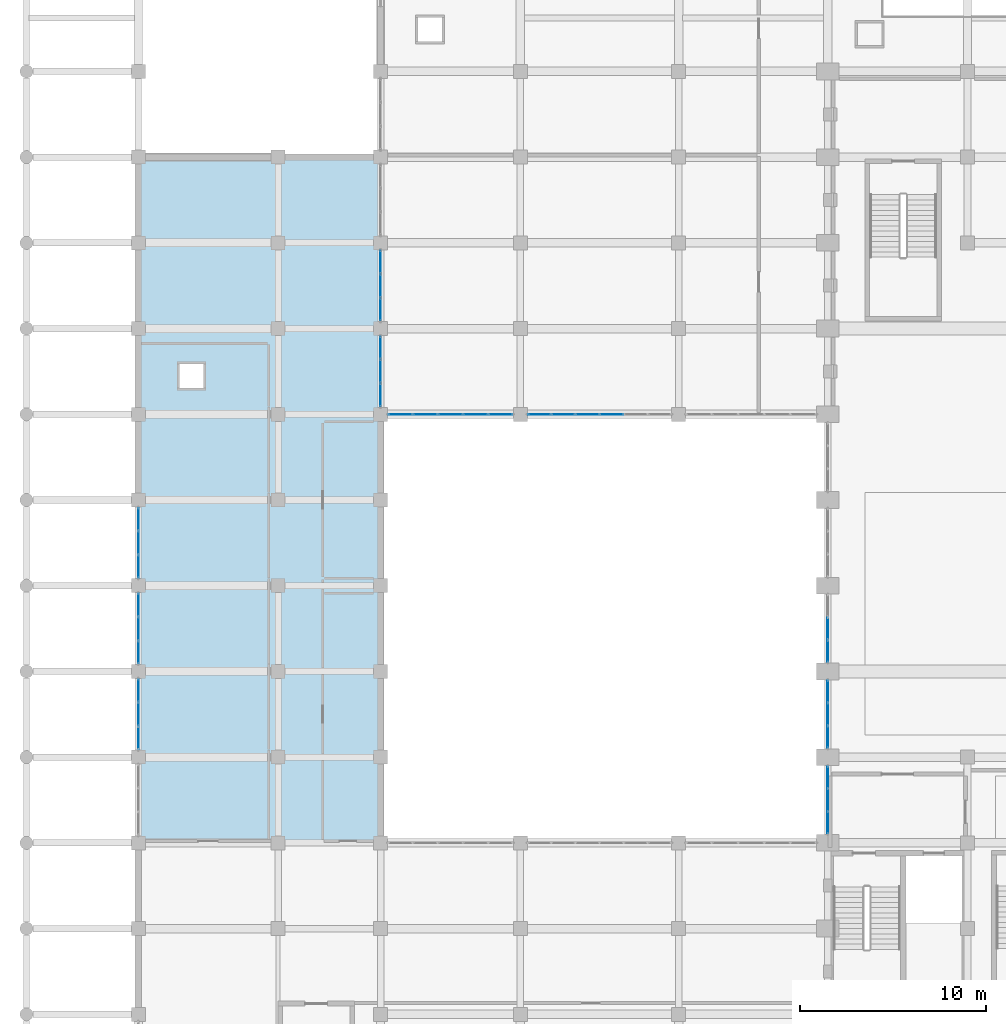
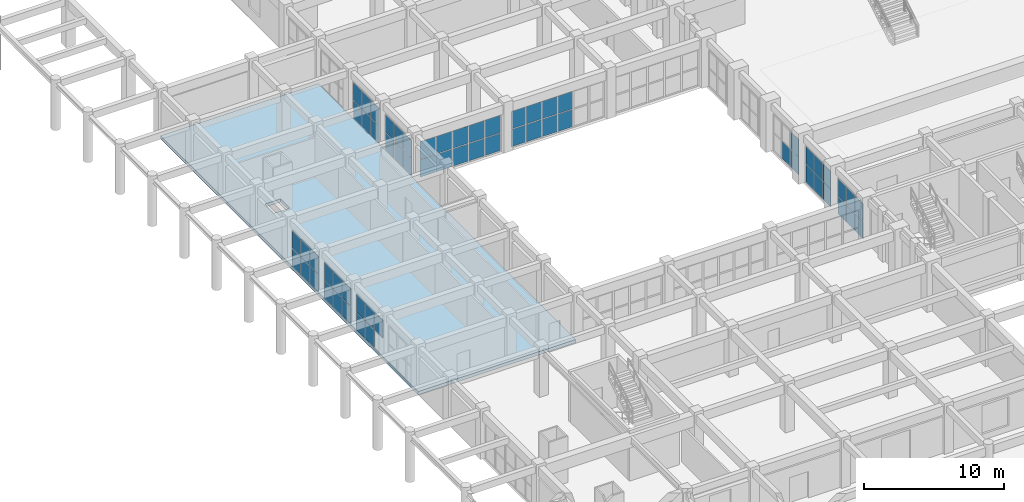
# One storey, part 86 of 116: 62 plates, 1 slab, 10 elements without a shape of their own.
"""IFC4 building model written with IfcOpenShell, lengths in metres."""

from ifc_helpers import new_model, si_unit, direction, frame, origin, origin_2d, place, context, subcontext, project, spatial, polyline, rectangle, outline, extrude, material, layer, layer_set, type_object, element, aggregate, save


model = new_model("IFC4")

# Units and contexts
model_context = context("Model", 3, precision=1e-05, world=origin(), true_north=direction((0.0, 1.0)))
body_context = subcontext(model_context, "Body", "Model", "MODEL_VIEW")
ifc_project = project(units=[si_unit("LENGTHUNIT", "METRE"), si_unit("AREAUNIT", "SQUARE_METRE"), si_unit("VOLUMEUNIT", "CUBIC_METRE"), si_unit("PLANEANGLEUNIT", "RADIAN"), si_unit("MASSUNIT", "GRAM", prefix="KILO")], contexts=[model_context])

# Site, building, storey
site_placement = place(None, origin())
site = spatial("IfcSite", under=ifc_project, at=site_placement, CompositionType="ELEMENT")
building_placement = place(site_placement, origin())
building = spatial("IfcBuilding", under=site, at=building_placement, Name="Muzn Square Opera House", CompositionType="ELEMENT")
storey_placement = place(building_placement, frame((0.0, 0.0, 5.39990234375)))
storey = spatial("IfcBuildingStorey", under=building, at=storey_placement, Name="L01", CompositionType="ELEMENT", Elevation=5.39990234375)

# Curtain wall, plates
ifc_material_1 = material(Name="Low-E laminated acoustic double glazing", Category="glass")
ifc_layer_1 = layer(ifc_material_1, 0.159912109375, Name="Low-E laminated acoustic double glazing", Category="glass")
ifc_layer_set_1 = layer_set([ifc_layer_1], Name="Low-E laminated acoustic double glazing")
curtain_wall_type_1 = type_object("IfcCurtainWallType", Name="Glazed Curtain Wall WestVaultCourt 3700x3200", PredefinedType="USERDEFINED", material=ifc_layer_set_1)
curtain_wall_1_placement = place(storey_placement, origin())
curtain_wall_1 = element("IfcCurtainWall", 1, at=curtain_wall_1_placement, inside=storey, type_object=curtain_wall_type_1, Name="Glazed Curtain Wall CW-L01-039", ObjectType="GLAZED CURTAIN WALL", PredefinedType="USERDEFINED")
ifc_layer_2 = layer(ifc_material_1, 0.028076171875, Name="Low-E laminated acoustic double glazing", Category="glass")
ifc_layer_set_2 = layer_set([ifc_layer_2], Name="Low-E laminated acoustic double glazing")
plate_type = type_object("IfcPlateType", Name="Curtain Wall Acoustic Glazed Panel 28mm", PredefinedType="CURTAIN_PANEL", material=ifc_layer_set_2)
plate_1_placement = place(storey_placement, frame((43.0, 32.28173828125, 0.06005859375), z_axis=(0.0, 0.0, 1.0), x_axis=(0.0, 1.0, 0.0)))
plate_1 = element("IfcPlate", 2, at=plate_1_placement, type_object=plate_type, Name="CW-WVC-37x32 panel 1.1", PredefinedType="CURTAIN_PANEL", context=body_context, shape_type="SweptSolid", body=[
    extrude(rectangle(XDim=1.143310546875, YDim=0.028076171875, at=origin_2d()), origin(), (0.0, 0.0, 1.0), 1.510009765625),
])
plate_2_placement = place(storey_placement, frame((43.0, 32.28173828125, 1.6298828125), z_axis=(0.0, 0.0, 1.0), x_axis=(0.0, 1.0, 0.0)))
plate_2 = element("IfcPlate", 3, at=plate_2_placement, type_object=plate_type, Name="CW-WVC-37x32 panel 1.2", PredefinedType="CURTAIN_PANEL", context=body_context, shape_type="SweptSolid", body=[
    extrude(rectangle(XDim=1.143310546875, YDim=0.028076171875, at=origin_2d()), origin(), (0.0, 0.0, 1.0), 1.510009765625),
])
plate_3_placement = place(storey_placement, frame((43.0, 33.5, 0.06005859375), z_axis=(0.0, 0.0, 1.0), x_axis=(0.0, 1.0, 0.0)))
plate_3 = element("IfcPlate", 4, at=plate_3_placement, type_object=plate_type, Name="CW-WVC-37x32 panel 2.1", PredefinedType="CURTAIN_PANEL", context=body_context, shape_type="SweptSolid", body=[
    extrude(rectangle(XDim=1.17333984375, YDim=0.028076171875, at=origin_2d()), origin(), (0.0, 0.0, 1.0), 1.510009765625),
])
plate_4_placement = place(storey_placement, frame((43.0, 33.5, 1.6298828125), z_axis=(0.0, 0.0, 1.0), x_axis=(0.0, 1.0, 0.0)))
plate_4 = element("IfcPlate", 5, at=plate_4_placement, type_object=plate_type, Name="CW-WVC-37x32 panel 2.2", PredefinedType="CURTAIN_PANEL", context=body_context, shape_type="SweptSolid", body=[
    extrude(rectangle(XDim=1.17333984375, YDim=0.028076171875, at=origin_2d()), origin(), (0.0, 0.0, 1.0), 1.510009765625),
])
plate_5_placement = place(storey_placement, frame((43.0, 34.71826171875, 0.06005859375), z_axis=(0.0, 0.0, 1.0), x_axis=(0.0, 1.0, 0.0)))
plate_5 = element("IfcPlate", 6, at=plate_5_placement, type_object=plate_type, Name="CW-WVC-37x32 panel 3.1", PredefinedType="CURTAIN_PANEL", context=body_context, shape_type="SweptSolid", body=[
    extrude(rectangle(XDim=1.143310546875, YDim=0.028076171875, at=origin_2d()), origin(), (0.0, 0.0, 1.0), 1.510009765625),
])
plate_6_placement = place(storey_placement, frame((43.0, 34.71826171875, 1.6298828125), z_axis=(0.0, 0.0, 1.0), x_axis=(0.0, 1.0, 0.0)))
plate_6 = element("IfcPlate", 7, at=plate_6_placement, type_object=plate_type, Name="CW-WVC-37x32 panel 3.2", PredefinedType="CURTAIN_PANEL", context=body_context, shape_type="SweptSolid", body=[
    extrude(rectangle(XDim=1.143310546875, YDim=0.028076171875, at=origin_2d()), origin(), (0.0, 0.0, 1.0), 1.510009765625),
])
aggregate(curtain_wall_1, [plate_1, plate_2, plate_3, plate_4, plate_5, plate_6])

curtain_wall_2_placement = place(storey_placement, origin())
curtain_wall_2 = element("IfcCurtainWall", 8, at=curtain_wall_2_placement, inside=storey, type_object=curtain_wall_type_1, Name="Glazed Curtain Wall CW-L01-041", ObjectType="GLAZED CURTAIN WALL", PredefinedType="USERDEFINED")
plate_7_placement = place(storey_placement, frame((43.0, 36.881591796875, 0.06005859375), z_axis=(0.0, 0.0, 1.0), x_axis=(0.0, 1.0, 0.0)))
plate_7 = element("IfcPlate", 9, at=plate_7_placement, type_object=plate_type, Name="CW-WVC-37x32 panel 1.1", PredefinedType="CURTAIN_PANEL", context=body_context, shape_type="SweptSolid", body=[
    extrude(rectangle(XDim=1.143310546875, YDim=0.028076171875, at=origin_2d()), origin(), (0.0, 0.0, 1.0), 1.510009765625),
])
plate_8_placement = place(storey_placement, frame((43.0, 36.881591796875, 1.6298828125), z_axis=(0.0, 0.0, 1.0), x_axis=(0.0, 1.0, 0.0)))
plate_8 = element("IfcPlate", 10, at=plate_8_placement, type_object=plate_type, Name="CW-WVC-37x32 panel 1.2", PredefinedType="CURTAIN_PANEL", context=body_context, shape_type="SweptSolid", body=[
    extrude(rectangle(XDim=1.143310546875, YDim=0.028076171875, at=origin_2d()), origin(), (0.0, 0.0, 1.0), 1.510009765625),
])
plate_9_placement = place(storey_placement, frame((43.0, 38.10009765625, 0.06005859375), z_axis=(0.0, 0.0, 1.0), x_axis=(0.0, 1.0, 0.0)))
plate_9 = element("IfcPlate", 11, at=plate_9_placement, type_object=plate_type, Name="CW-WVC-37x32 panel 2.1", PredefinedType="CURTAIN_PANEL", context=body_context, shape_type="SweptSolid", body=[
    extrude(rectangle(XDim=1.17333984375, YDim=0.028076171875, at=origin_2d()), origin(), (0.0, 0.0, 1.0), 1.510009765625),
])
plate_10_placement = place(storey_placement, frame((43.0, 38.10009765625, 1.6298828125), z_axis=(0.0, 0.0, 1.0), x_axis=(0.0, 1.0, 0.0)))
plate_10 = element("IfcPlate", 12, at=plate_10_placement, type_object=plate_type, Name="CW-WVC-37x32 panel 2.2", PredefinedType="CURTAIN_PANEL", context=body_context, shape_type="SweptSolid", body=[
    extrude(rectangle(XDim=1.17333984375, YDim=0.028076171875, at=origin_2d()), origin(), (0.0, 0.0, 1.0), 1.510009765625),
])
plate_11_placement = place(storey_placement, frame((43.0, 39.318359375, 0.06005859375), z_axis=(0.0, 0.0, 1.0), x_axis=(0.0, 1.0, 0.0)))
plate_11 = element("IfcPlate", 13, at=plate_11_placement, type_object=plate_type, Name="CW-WVC-37x32 panel 3.1", PredefinedType="CURTAIN_PANEL", context=body_context, shape_type="SweptSolid", body=[
    extrude(rectangle(XDim=1.143310546875, YDim=0.028076171875, at=origin_2d()), origin(), (0.0, 0.0, 1.0), 1.510009765625),
])
plate_12_placement = place(storey_placement, frame((43.0, 39.318359375, 1.6298828125), z_axis=(0.0, 0.0, 1.0), x_axis=(0.0, 1.0, 0.0)))
plate_12 = element("IfcPlate", 14, at=plate_12_placement, type_object=plate_type, Name="CW-WVC-37x32 panel 3.2", PredefinedType="CURTAIN_PANEL", context=body_context, shape_type="SweptSolid", body=[
    extrude(rectangle(XDim=1.143310546875, YDim=0.028076171875, at=origin_2d()), origin(), (0.0, 0.0, 1.0), 1.510009765625),
])
aggregate(curtain_wall_2, [plate_7, plate_8, plate_9, plate_10, plate_11, plate_12])

curtain_wall_3_placement = place(storey_placement, origin())
curtain_wall_3 = element("IfcCurtainWall", 15, at=curtain_wall_3_placement, inside=storey, type_object=curtain_wall_type_1, Name="Glazed Curtain Wall CW-L01-043", ObjectType="GLAZED CURTAIN WALL", PredefinedType="USERDEFINED")
plate_13_placement = place(storey_placement, frame((43.0, 41.481689453125, 0.06005859375), z_axis=(0.0, 0.0, 1.0), x_axis=(0.0, 1.0, 0.0)))
plate_13 = element("IfcPlate", 16, at=plate_13_placement, type_object=plate_type, Name="CW-WVC-37x32 panel 1.1", PredefinedType="CURTAIN_PANEL", context=body_context, shape_type="SweptSolid", body=[
    extrude(rectangle(XDim=1.143310546875, YDim=0.028076171875, at=origin_2d()), origin(), (0.0, 0.0, 1.0), 1.510009765625),
])
plate_14_placement = place(storey_placement, frame((43.0, 41.481689453125, 1.6298828125), z_axis=(0.0, 0.0, 1.0), x_axis=(0.0, 1.0, 0.0)))
plate_14 = element("IfcPlate", 17, at=plate_14_placement, type_object=plate_type, Name="CW-WVC-37x32 panel 1.2", PredefinedType="CURTAIN_PANEL", context=body_context, shape_type="SweptSolid", body=[
    extrude(rectangle(XDim=1.143310546875, YDim=0.028076171875, at=origin_2d()), origin(), (0.0, 0.0, 1.0), 1.510009765625),
])
plate_15_placement = place(storey_placement, frame((43.0, 42.699951171875, 0.06005859375), z_axis=(0.0, 0.0, 1.0), x_axis=(0.0, 1.0, 0.0)))
plate_15 = element("IfcPlate", 18, at=plate_15_placement, type_object=plate_type, Name="CW-WVC-37x32 panel 2.1", PredefinedType="CURTAIN_PANEL", context=body_context, shape_type="SweptSolid", body=[
    extrude(rectangle(XDim=1.17333984375, YDim=0.028076171875, at=origin_2d()), origin(), (0.0, 0.0, 1.0), 1.510009765625),
])
aggregate(curtain_wall_3, [plate_13, plate_14, plate_15])

ifc_layer_3 = layer(ifc_material_1, 0.159912109375, Name="Low-E laminated acoustic double glazing", Category="glass")
ifc_layer_set_3 = layer_set([ifc_layer_3], Name="Low-E laminated acoustic double glazing")
curtain_wall_type_2 = type_object("IfcCurtainWallType", Name="Glazed Curtain Wall WestCloisterN 6750x3200", PredefinedType="USERDEFINED", material=ifc_layer_set_3)
curtain_wall_4_placement = place(storey_placement, origin())
curtain_wall_4 = element("IfcCurtainWall", 19, at=curtain_wall_4_placement, inside=storey, type_object=curtain_wall_type_2, Name="Glazed Curtain Wall CW-L01-082", ObjectType="GLAZED CURTAIN WALL", PredefinedType="USERDEFINED")
plate_16_placement = place(storey_placement, frame((20.06494140625, 54.199951171875, 0.06005859375), z_axis=(0.0, 0.0, 1.0), x_axis=(1.0, 0.0, 0.0)))
plate_16 = element("IfcPlate", 20, at=plate_16_placement, type_object=plate_type, Name="CW-WCN-67x32 panel 1.1", PredefinedType="CURTAIN_PANEL", context=body_context, shape_type="SweptSolid", body=[
    extrude(rectangle(XDim=1.260009765625, YDim=0.028076171875, at=origin_2d()), origin(), (0.0, 0.0, 1.0), 1.510009765625),
])
plate_17_placement = place(storey_placement, frame((20.06494140625, 54.199951171875, 1.6298828125), z_axis=(0.0, 0.0, 1.0), x_axis=(1.0, 0.0, 0.0)))
plate_17 = element("IfcPlate", 21, at=plate_17_placement, type_object=plate_type, Name="CW-WCN-67x32 panel 1.2", PredefinedType="CURTAIN_PANEL", context=body_context, shape_type="SweptSolid", body=[
    extrude(rectangle(XDim=1.260009765625, YDim=0.028076171875, at=origin_2d()), origin(), (0.0, 0.0, 1.0), 1.510009765625),
])
plate_18_placement = place(storey_placement, frame((21.39990234375, 54.199951171875, 0.06005859375), z_axis=(0.0, 0.0, 1.0), x_axis=(1.0, 0.0, 0.0)))
plate_18 = element("IfcPlate", 22, at=plate_18_placement, type_object=plate_type, Name="CW-WCN-67x32 panel 2.1", PredefinedType="CURTAIN_PANEL", context=body_context, shape_type="SweptSolid", body=[
    extrude(rectangle(XDim=1.2900390625, YDim=0.028076171875, at=origin_2d()), origin(), (0.0, 0.0, 1.0), 1.510009765625),
])
plate_19_placement = place(storey_placement, frame((21.39990234375, 54.199951171875, 1.6298828125), z_axis=(0.0, 0.0, 1.0), x_axis=(1.0, 0.0, 0.0)))
plate_19 = element("IfcPlate", 23, at=plate_19_placement, type_object=plate_type, Name="CW-WCN-67x32 panel 2.2", PredefinedType="CURTAIN_PANEL", context=body_context, shape_type="SweptSolid", body=[
    extrude(rectangle(XDim=1.2900390625, YDim=0.028076171875, at=origin_2d()), origin(), (0.0, 0.0, 1.0), 1.510009765625),
])
plate_20_placement = place(storey_placement, frame((22.75, 54.199951171875, 0.06005859375), z_axis=(0.0, 0.0, 1.0), x_axis=(1.0, 0.0, 0.0)))
plate_20 = element("IfcPlate", 24, at=plate_20_placement, type_object=plate_type, Name="CW-WCN-67x32 panel 3.1", PredefinedType="CURTAIN_PANEL", context=body_context, shape_type="SweptSolid", body=[
    extrude(rectangle(XDim=1.2900390625, YDim=0.028076171875, at=origin_2d()), origin(), (0.0, 0.0, 1.0), 1.510009765625),
])
plate_21_placement = place(storey_placement, frame((22.75, 54.199951171875, 1.6298828125), z_axis=(0.0, 0.0, 1.0), x_axis=(1.0, 0.0, 0.0)))
plate_21 = element("IfcPlate", 25, at=plate_21_placement, type_object=plate_type, Name="CW-WCN-67x32 panel 3.2", PredefinedType="CURTAIN_PANEL", context=body_context, shape_type="SweptSolid", body=[
    extrude(rectangle(XDim=1.2900390625, YDim=0.028076171875, at=origin_2d()), origin(), (0.0, 0.0, 1.0), 1.510009765625),
])
plate_22_placement = place(storey_placement, frame((24.10009765625, 54.199951171875, 0.06005859375), z_axis=(0.0, 0.0, 1.0), x_axis=(1.0, 0.0, 0.0)))
plate_22 = element("IfcPlate", 26, at=plate_22_placement, type_object=plate_type, Name="CW-WCN-67x32 panel 4.1", PredefinedType="CURTAIN_PANEL", context=body_context, shape_type="SweptSolid", body=[
    extrude(rectangle(XDim=1.2900390625, YDim=0.028076171875, at=origin_2d()), origin(), (0.0, 0.0, 1.0), 1.510009765625),
])
plate_23_placement = place(storey_placement, frame((24.10009765625, 54.199951171875, 1.6298828125), z_axis=(0.0, 0.0, 1.0), x_axis=(1.0, 0.0, 0.0)))
plate_23 = element("IfcPlate", 27, at=plate_23_placement, type_object=plate_type, Name="CW-WCN-67x32 panel 4.2", PredefinedType="CURTAIN_PANEL", context=body_context, shape_type="SweptSolid", body=[
    extrude(rectangle(XDim=1.2900390625, YDim=0.028076171875, at=origin_2d()), origin(), (0.0, 0.0, 1.0), 1.510009765625),
])
plate_24_placement = place(storey_placement, frame((25.43505859375, 54.199951171875, 0.06005859375), z_axis=(0.0, 0.0, 1.0), x_axis=(1.0, 0.0, 0.0)))
plate_24 = element("IfcPlate", 28, at=plate_24_placement, type_object=plate_type, Name="CW-WCN-67x32 panel 5.1", PredefinedType="CURTAIN_PANEL", context=body_context, shape_type="SweptSolid", body=[
    extrude(rectangle(XDim=1.260009765625, YDim=0.028076171875, at=origin_2d()), origin(), (0.0, 0.0, 1.0), 1.510009765625),
])
plate_25_placement = place(storey_placement, frame((25.43505859375, 54.199951171875, 1.6298828125), z_axis=(0.0, 0.0, 1.0), x_axis=(1.0, 0.0, 0.0)))
plate_25 = element("IfcPlate", 29, at=plate_25_placement, type_object=plate_type, Name="CW-WCN-67x32 panel 5.2", PredefinedType="CURTAIN_PANEL", context=body_context, shape_type="SweptSolid", body=[
    extrude(rectangle(XDim=1.260009765625, YDim=0.028076171875, at=origin_2d()), origin(), (0.0, 0.0, 1.0), 1.510009765625),
])
aggregate(curtain_wall_4, [plate_16, plate_17, plate_18, plate_19, plate_20, plate_21, plate_22, plate_23, plate_24, plate_25])

ifc_layer_4 = layer(ifc_material_1, 0.159912109375, Name="Low-E laminated acoustic double glazing", Category="glass")
ifc_layer_set_4 = layer_set([ifc_layer_4], Name="Low-E laminated acoustic double glazing")
curtain_wall_type_3 = type_object("IfcCurtainWallType", Name="Glazed Curtain Wall WestCloisterN 7750x3200", PredefinedType="USERDEFINED", material=ifc_layer_set_4)
curtain_wall_5_placement = place(storey_placement, origin())
curtain_wall_5 = element("IfcCurtainWall", 30, at=curtain_wall_5_placement, inside=storey, type_object=curtain_wall_type_3, Name="Glazed Curtain Wall CW-L01-084", ObjectType="GLAZED CURTAIN WALL", PredefinedType="USERDEFINED")
plate_26_placement = place(storey_placement, frame((27.535888671875, 54.199951171875, 0.06005859375), z_axis=(0.0, 0.0, 1.0), x_axis=(1.0, 0.0, 0.0)))
plate_26 = element("IfcPlate", 31, at=plate_26_placement, type_object=plate_type, Name="CW-WCN-77x32 panel 1.1", PredefinedType="CURTAIN_PANEL", context=body_context, shape_type="SweptSolid", body=[
    extrude(rectangle(XDim=1.20166015625, YDim=0.028076171875, at=origin_2d()), origin(), (0.0, 0.0, 1.0), 1.510009765625),
])
plate_27_placement = place(storey_placement, frame((27.535888671875, 54.199951171875, 1.6298828125), z_axis=(0.0, 0.0, 1.0), x_axis=(1.0, 0.0, 0.0)))
plate_27 = element("IfcPlate", 32, at=plate_27_placement, type_object=plate_type, Name="CW-WCN-77x32 panel 1.2", PredefinedType="CURTAIN_PANEL", context=body_context, shape_type="SweptSolid", body=[
    extrude(rectangle(XDim=1.20166015625, YDim=0.028076171875, at=origin_2d()), origin(), (0.0, 0.0, 1.0), 1.510009765625),
])
plate_28_placement = place(storey_placement, frame((28.8125, 54.199951171875, 0.06005859375), z_axis=(0.0, 0.0, 1.0), x_axis=(1.0, 0.0, 0.0)))
plate_28 = element("IfcPlate", 33, at=plate_28_placement, type_object=plate_type, Name="CW-WCN-77x32 panel 2.1", PredefinedType="CURTAIN_PANEL", context=body_context, shape_type="SweptSolid", body=[
    extrude(rectangle(XDim=1.231689453125, YDim=0.028076171875, at=origin_2d()), origin(), (0.0, 0.0, 1.0), 1.510009765625),
])
plate_29_placement = place(storey_placement, frame((28.8125, 54.199951171875, 1.6298828125), z_axis=(0.0, 0.0, 1.0), x_axis=(1.0, 0.0, 0.0)))
plate_29 = element("IfcPlate", 34, at=plate_29_placement, type_object=plate_type, Name="CW-WCN-77x32 panel 2.2", PredefinedType="CURTAIN_PANEL", context=body_context, shape_type="SweptSolid", body=[
    extrude(rectangle(XDim=1.231689453125, YDim=0.028076171875, at=origin_2d()), origin(), (0.0, 0.0, 1.0), 1.510009765625),
])
plate_30_placement = place(storey_placement, frame((30.104248046875, 54.199951171875, 0.06005859375), z_axis=(0.0, 0.0, 1.0), x_axis=(1.0, 0.0, 0.0)))
plate_30 = element("IfcPlate", 35, at=plate_30_placement, type_object=plate_type, Name="CW-WCN-77x32 panel 3.1", PredefinedType="CURTAIN_PANEL", context=body_context, shape_type="SweptSolid", body=[
    extrude(rectangle(XDim=1.231689453125, YDim=0.028076171875, at=origin_2d()), origin(), (0.0, 0.0, 1.0), 1.510009765625),
])
plate_31_placement = place(storey_placement, frame((30.104248046875, 54.199951171875, 1.6298828125), z_axis=(0.0, 0.0, 1.0), x_axis=(1.0, 0.0, 0.0)))
plate_31 = element("IfcPlate", 36, at=plate_31_placement, type_object=plate_type, Name="CW-WCN-77x32 panel 3.2", PredefinedType="CURTAIN_PANEL", context=body_context, shape_type="SweptSolid", body=[
    extrude(rectangle(XDim=1.231689453125, YDim=0.028076171875, at=origin_2d()), origin(), (0.0, 0.0, 1.0), 1.510009765625),
])
plate_32_placement = place(storey_placement, frame((31.395751953125, 54.199951171875, 0.06005859375), z_axis=(0.0, 0.0, 1.0), x_axis=(1.0, 0.0, 0.0)))
plate_32 = element("IfcPlate", 37, at=plate_32_placement, type_object=plate_type, Name="CW-WCN-77x32 panel 4.1", PredefinedType="CURTAIN_PANEL", context=body_context, shape_type="SweptSolid", body=[
    extrude(rectangle(XDim=1.231689453125, YDim=0.028076171875, at=origin_2d()), origin(), (0.0, 0.0, 1.0), 1.510009765625),
])
plate_33_placement = place(storey_placement, frame((31.395751953125, 54.199951171875, 1.6298828125), z_axis=(0.0, 0.0, 1.0), x_axis=(1.0, 0.0, 0.0)))
plate_33 = element("IfcPlate", 38, at=plate_33_placement, type_object=plate_type, Name="CW-WCN-77x32 panel 4.2", PredefinedType="CURTAIN_PANEL", context=body_context, shape_type="SweptSolid", body=[
    extrude(rectangle(XDim=1.231689453125, YDim=0.028076171875, at=origin_2d()), origin(), (0.0, 0.0, 1.0), 1.510009765625),
])
aggregate(curtain_wall_5, [plate_26, plate_27, plate_28, plate_29, plate_30, plate_31, plate_32, plate_33])

ifc_layer_5 = layer(ifc_material_1, 0.159912109375, Name="Low-E laminated acoustic double glazing", Category="glass")
ifc_layer_set_5 = layer_set([ifc_layer_5], Name="Low-E laminated acoustic double glazing")
curtain_wall_type_4 = type_object("IfcCurtainWallType", Name="Glazed Curtain Wall WestBlvd 3850x3200", PredefinedType="USERDEFINED", material=ifc_layer_set_5)
curtain_wall_6_placement = place(storey_placement, origin())
curtain_wall_6 = element("IfcCurtainWall", 39, at=curtain_wall_6_placement, inside=storey, type_object=curtain_wall_type_4, Name="Glazed Curtain Wall CW-L01-141", ObjectType="GLAZED CURTAIN WALL", PredefinedType="USERDEFINED")
plate_34_placement = place(storey_placement, frame((6.0, 36.831787109375, 1.6298828125), z_axis=(0.0, 0.0, 1.0), x_axis=(0.0, 1.0, 0.0)))
plate_34 = element("IfcPlate", 40, at=plate_34_placement, type_object=plate_type, Name="CW-WBL-38x32 panel 1.2", PredefinedType="CURTAIN_PANEL", context=body_context, shape_type="SweptSolid", body=[
    extrude(rectangle(XDim=1.193359375, YDim=0.028076171875, at=origin_2d()), origin(), (0.0, 0.0, 1.0), 1.510009765625),
])
plate_35_placement = place(storey_placement, frame((6.0, 38.10009765625, 0.06005859375), z_axis=(0.0, 0.0, 1.0), x_axis=(0.0, 1.0, 0.0)))
plate_35 = element("IfcPlate", 41, at=plate_35_placement, type_object=plate_type, Name="CW-WBL-38x32 panel 2.1", PredefinedType="CURTAIN_PANEL", context=body_context, shape_type="SweptSolid", body=[
    extrude(rectangle(XDim=1.223388671875, YDim=0.028076171875, at=origin_2d()), origin(), (0.0, 0.0, 1.0), 1.510009765625),
])
plate_36_placement = place(storey_placement, frame((6.0, 38.10009765625, 1.6298828125), z_axis=(0.0, 0.0, 1.0), x_axis=(0.0, 1.0, 0.0)))
plate_36 = element("IfcPlate", 42, at=plate_36_placement, type_object=plate_type, Name="CW-WBL-38x32 panel 2.2", PredefinedType="CURTAIN_PANEL", context=body_context, shape_type="SweptSolid", body=[
    extrude(rectangle(XDim=1.223388671875, YDim=0.028076171875, at=origin_2d()), origin(), (0.0, 0.0, 1.0), 1.510009765625),
])
plate_37_placement = place(storey_placement, frame((6.0, 39.368408203125, 0.06005859375), z_axis=(0.0, 0.0, 1.0), x_axis=(0.0, 1.0, 0.0)))
plate_37 = element("IfcPlate", 43, at=plate_37_placement, type_object=plate_type, Name="CW-WBL-38x32 panel 3.1", PredefinedType="CURTAIN_PANEL", context=body_context, shape_type="SweptSolid", body=[
    extrude(rectangle(XDim=1.193359375, YDim=0.028076171875, at=origin_2d()), origin(), (0.0, 0.0, 1.0), 1.510009765625),
])
plate_38_placement = place(storey_placement, frame((6.0, 39.368408203125, 1.6298828125), z_axis=(0.0, 0.0, 1.0), x_axis=(0.0, 1.0, 0.0)))
plate_38 = element("IfcPlate", 44, at=plate_38_placement, type_object=plate_type, Name="CW-WBL-38x32 panel 3.2", PredefinedType="CURTAIN_PANEL", context=body_context, shape_type="SweptSolid", body=[
    extrude(rectangle(XDim=1.193359375, YDim=0.028076171875, at=origin_2d()), origin(), (0.0, 0.0, 1.0), 1.510009765625),
])
aggregate(curtain_wall_6, [plate_34, plate_35, plate_36, plate_37, plate_38])

curtain_wall_7_placement = place(storey_placement, origin())
curtain_wall_7 = element("IfcCurtainWall", 45, at=curtain_wall_7_placement, inside=storey, type_object=curtain_wall_type_4, Name="Glazed Curtain Wall CW-L01-142", ObjectType="GLAZED CURTAIN WALL", PredefinedType="USERDEFINED")
plate_39_placement = place(storey_placement, frame((6.0, 41.431640625, 0.06005859375), z_axis=(0.0, 0.0, 1.0), x_axis=(0.0, 1.0, 0.0)))
plate_39 = element("IfcPlate", 46, at=plate_39_placement, type_object=plate_type, Name="CW-WBL-38x32 panel 1.1", PredefinedType="CURTAIN_PANEL", context=body_context, shape_type="SweptSolid", body=[
    extrude(rectangle(XDim=1.193359375, YDim=0.028076171875, at=origin_2d()), origin(), (0.0, 0.0, 1.0), 1.510009765625),
])
plate_40_placement = place(storey_placement, frame((6.0, 41.431640625, 1.6298828125), z_axis=(0.0, 0.0, 1.0), x_axis=(0.0, 1.0, 0.0)))
plate_40 = element("IfcPlate", 47, at=plate_40_placement, type_object=plate_type, Name="CW-WBL-38x32 panel 1.2", PredefinedType="CURTAIN_PANEL", context=body_context, shape_type="SweptSolid", body=[
    extrude(rectangle(XDim=1.193359375, YDim=0.028076171875, at=origin_2d()), origin(), (0.0, 0.0, 1.0), 1.510009765625),
])
plate_41_placement = place(storey_placement, frame((6.0, 42.699951171875, 0.06005859375), z_axis=(0.0, 0.0, 1.0), x_axis=(0.0, 1.0, 0.0)))
plate_41 = element("IfcPlate", 48, at=plate_41_placement, type_object=plate_type, Name="CW-WBL-38x32 panel 2.1", PredefinedType="CURTAIN_PANEL", context=body_context, shape_type="SweptSolid", body=[
    extrude(rectangle(XDim=1.223388671875, YDim=0.028076171875, at=origin_2d()), origin(), (0.0, 0.0, 1.0), 1.510009765625),
])
plate_42_placement = place(storey_placement, frame((6.0, 42.699951171875, 1.6298828125), z_axis=(0.0, 0.0, 1.0), x_axis=(0.0, 1.0, 0.0)))
plate_42 = element("IfcPlate", 49, at=plate_42_placement, type_object=plate_type, Name="CW-WBL-38x32 panel 2.2", PredefinedType="CURTAIN_PANEL", context=body_context, shape_type="SweptSolid", body=[
    extrude(rectangle(XDim=1.223388671875, YDim=0.028076171875, at=origin_2d()), origin(), (0.0, 0.0, 1.0), 1.510009765625),
])
plate_43_placement = place(storey_placement, frame((6.0, 43.96826171875, 0.06005859375), z_axis=(0.0, 0.0, 1.0), x_axis=(0.0, 1.0, 0.0)))
plate_43 = element("IfcPlate", 50, at=plate_43_placement, type_object=plate_type, Name="CW-WBL-38x32 panel 3.1", PredefinedType="CURTAIN_PANEL", context=body_context, shape_type="SweptSolid", body=[
    extrude(rectangle(XDim=1.193359375, YDim=0.028076171875, at=origin_2d()), origin(), (0.0, 0.0, 1.0), 1.510009765625),
])
plate_44_placement = place(storey_placement, frame((6.0, 43.96826171875, 1.6298828125), z_axis=(0.0, 0.0, 1.0), x_axis=(0.0, 1.0, 0.0)))
plate_44 = element("IfcPlate", 51, at=plate_44_placement, type_object=plate_type, Name="CW-WBL-38x32 panel 3.2", PredefinedType="CURTAIN_PANEL", context=body_context, shape_type="SweptSolid", body=[
    extrude(rectangle(XDim=1.193359375, YDim=0.028076171875, at=origin_2d()), origin(), (0.0, 0.0, 1.0), 1.510009765625),
])
aggregate(curtain_wall_7, [plate_39, plate_40, plate_41, plate_42, plate_43, plate_44])

curtain_wall_8_placement = place(storey_placement, origin())
curtain_wall_8 = element("IfcCurtainWall", 52, at=curtain_wall_8_placement, inside=storey, type_object=curtain_wall_type_4, Name="Glazed Curtain Wall CW-L01-143", ObjectType="GLAZED CURTAIN WALL", PredefinedType="USERDEFINED")
plate_45_placement = place(storey_placement, frame((6.0, 46.03173828125, 0.06005859375), z_axis=(0.0, 0.0, 1.0), x_axis=(0.0, 1.0, 0.0)))
plate_45 = element("IfcPlate", 53, at=plate_45_placement, type_object=plate_type, Name="CW-WBL-38x32 panel 1.1", PredefinedType="CURTAIN_PANEL", context=body_context, shape_type="SweptSolid", body=[
    extrude(rectangle(XDim=1.193359375, YDim=0.028076171875, at=origin_2d()), origin(), (0.0, 0.0, 1.0), 1.510009765625),
])
plate_46_placement = place(storey_placement, frame((6.0, 46.03173828125, 1.6298828125), z_axis=(0.0, 0.0, 1.0), x_axis=(0.0, 1.0, 0.0)))
plate_46 = element("IfcPlate", 54, at=plate_46_placement, type_object=plate_type, Name="CW-WBL-38x32 panel 1.2", PredefinedType="CURTAIN_PANEL", context=body_context, shape_type="SweptSolid", body=[
    extrude(rectangle(XDim=1.193359375, YDim=0.028076171875, at=origin_2d()), origin(), (0.0, 0.0, 1.0), 1.510009765625),
])
plate_47_placement = place(storey_placement, frame((6.0, 47.300048828125, 0.06005859375), z_axis=(0.0, 0.0, 1.0), x_axis=(0.0, 1.0, 0.0)))
plate_47 = element("IfcPlate", 55, at=plate_47_placement, type_object=plate_type, Name="CW-WBL-38x32 panel 2.1", PredefinedType="CURTAIN_PANEL", context=body_context, shape_type="SweptSolid", body=[
    extrude(rectangle(XDim=1.223388671875, YDim=0.028076171875, at=origin_2d()), origin(), (0.0, 0.0, 1.0), 1.510009765625),
])
plate_48_placement = place(storey_placement, frame((6.0, 47.300048828125, 1.6298828125), z_axis=(0.0, 0.0, 1.0), x_axis=(0.0, 1.0, 0.0)))
plate_48 = element("IfcPlate", 56, at=plate_48_placement, type_object=plate_type, Name="CW-WBL-38x32 panel 2.2", PredefinedType="CURTAIN_PANEL", context=body_context, shape_type="SweptSolid", body=[
    extrude(rectangle(XDim=1.223388671875, YDim=0.028076171875, at=origin_2d()), origin(), (0.0, 0.0, 1.0), 1.510009765625),
])
plate_49_placement = place(storey_placement, frame((6.0, 48.568359375, 0.06005859375), z_axis=(0.0, 0.0, 1.0), x_axis=(0.0, 1.0, 0.0)))
plate_49 = element("IfcPlate", 57, at=plate_49_placement, type_object=plate_type, Name="CW-WBL-38x32 panel 3.1", PredefinedType="CURTAIN_PANEL", context=body_context, shape_type="SweptSolid", body=[
    extrude(rectangle(XDim=1.193359375, YDim=0.028076171875, at=origin_2d()), origin(), (0.0, 0.0, 1.0), 1.510009765625),
])
plate_50_placement = place(storey_placement, frame((6.0, 48.568359375, 1.6298828125), z_axis=(0.0, 0.0, 1.0), x_axis=(0.0, 1.0, 0.0)))
plate_50 = element("IfcPlate", 58, at=plate_50_placement, type_object=plate_type, Name="CW-WBL-38x32 panel 3.2", PredefinedType="CURTAIN_PANEL", context=body_context, shape_type="SweptSolid", body=[
    extrude(rectangle(XDim=1.193359375, YDim=0.028076171875, at=origin_2d()), origin(), (0.0, 0.0, 1.0), 1.510009765625),
])
aggregate(curtain_wall_8, [plate_45, plate_46, plate_47, plate_48, plate_49, plate_50])

ifc_layer_6 = layer(ifc_material_1, 0.159912109375, Name="Low-E laminated acoustic double glazing", Category="glass")
ifc_layer_set_6 = layer_set([ifc_layer_6], Name="Low-E laminated acoustic double glazing")
curtain_wall_type_5 = type_object("IfcCurtainWallType", Name="Glazed Curtain Wall WestCourt 3850x3200", PredefinedType="USERDEFINED", material=ifc_layer_set_6)
curtain_wall_9_placement = place(storey_placement, origin())
curtain_wall_9 = element("IfcCurtainWall", 59, at=curtain_wall_9_placement, inside=storey, type_object=curtain_wall_type_5, Name="Glazed Curtain Wall CW-L01-144", ObjectType="GLAZED CURTAIN WALL", PredefinedType="USERDEFINED")
plate_51_placement = place(storey_placement, frame((19.0, 55.231689453125, 0.06005859375), z_axis=(0.0, 0.0, 1.0), x_axis=(0.0, 1.0, 0.0)))
plate_51 = element("IfcPlate", 60, at=plate_51_placement, type_object=plate_type, Name="CW-WCT-38x32 panel 1.1", PredefinedType="CURTAIN_PANEL", context=body_context, shape_type="SweptSolid", body=[
    extrude(rectangle(XDim=1.193359375, YDim=0.028076171875, at=origin_2d()), origin(), (0.0, 0.0, 1.0), 1.510009765625),
])
plate_52_placement = place(storey_placement, frame((19.0, 55.231689453125, 1.6298828125), z_axis=(0.0, 0.0, 1.0), x_axis=(0.0, 1.0, 0.0)))
plate_52 = element("IfcPlate", 61, at=plate_52_placement, type_object=plate_type, Name="CW-WCT-38x32 panel 1.2", PredefinedType="CURTAIN_PANEL", context=body_context, shape_type="SweptSolid", body=[
    extrude(rectangle(XDim=1.193359375, YDim=0.028076171875, at=origin_2d()), origin(), (0.0, 0.0, 1.0), 1.510009765625),
])
plate_53_placement = place(storey_placement, frame((19.0, 56.5, 0.06005859375), z_axis=(0.0, 0.0, 1.0), x_axis=(0.0, 1.0, 0.0)))
plate_53 = element("IfcPlate", 62, at=plate_53_placement, type_object=plate_type, Name="CW-WCT-38x32 panel 2.1", PredefinedType="CURTAIN_PANEL", context=body_context, shape_type="SweptSolid", body=[
    extrude(rectangle(XDim=1.223388671875, YDim=0.028076171875, at=origin_2d()), origin(), (0.0, 0.0, 1.0), 1.510009765625),
])
plate_54_placement = place(storey_placement, frame((19.0, 56.5, 1.6298828125), z_axis=(0.0, 0.0, 1.0), x_axis=(0.0, 1.0, 0.0)))
plate_54 = element("IfcPlate", 63, at=plate_54_placement, type_object=plate_type, Name="CW-WCT-38x32 panel 2.2", PredefinedType="CURTAIN_PANEL", context=body_context, shape_type="SweptSolid", body=[
    extrude(rectangle(XDim=1.223388671875, YDim=0.028076171875, at=origin_2d()), origin(), (0.0, 0.0, 1.0), 1.510009765625),
])
plate_55_placement = place(storey_placement, frame((19.0, 57.768310546875, 0.06005859375), z_axis=(0.0, 0.0, 1.0), x_axis=(0.0, 1.0, 0.0)))
plate_55 = element("IfcPlate", 64, at=plate_55_placement, type_object=plate_type, Name="CW-WCT-38x32 panel 3.1", PredefinedType="CURTAIN_PANEL", context=body_context, shape_type="SweptSolid", body=[
    extrude(rectangle(XDim=1.193359375, YDim=0.028076171875, at=origin_2d()), origin(), (0.0, 0.0, 1.0), 1.510009765625),
])
plate_56_placement = place(storey_placement, frame((19.0, 57.768310546875, 1.6298828125), z_axis=(0.0, 0.0, 1.0), x_axis=(0.0, 1.0, 0.0)))
plate_56 = element("IfcPlate", 65, at=plate_56_placement, type_object=plate_type, Name="CW-WCT-38x32 panel 3.2", PredefinedType="CURTAIN_PANEL", context=body_context, shape_type="SweptSolid", body=[
    extrude(rectangle(XDim=1.193359375, YDim=0.028076171875, at=origin_2d()), origin(), (0.0, 0.0, 1.0), 1.510009765625),
])
aggregate(curtain_wall_9, [plate_51, plate_52, plate_53, plate_54, plate_55, plate_56])

curtain_wall_10_placement = place(storey_placement, origin())
curtain_wall_10 = element("IfcCurtainWall", 66, at=curtain_wall_10_placement, inside=storey, type_object=curtain_wall_type_5, Name="Glazed Curtain Wall CW-L01-145", ObjectType="GLAZED CURTAIN WALL", PredefinedType="USERDEFINED")
plate_57_placement = place(storey_placement, frame((19.0, 59.831787109375, 0.06005859375), z_axis=(0.0, 0.0, 1.0), x_axis=(0.0, 1.0, 0.0)))
plate_57 = element("IfcPlate", 67, at=plate_57_placement, type_object=plate_type, Name="CW-WCT-38x32 panel 1.1", PredefinedType="CURTAIN_PANEL", context=body_context, shape_type="SweptSolid", body=[
    extrude(rectangle(XDim=1.193359375, YDim=0.028076171875, at=origin_2d()), origin(), (0.0, 0.0, 1.0), 1.510009765625),
])
plate_58_placement = place(storey_placement, frame((19.0, 59.831787109375, 1.6298828125), z_axis=(0.0, 0.0, 1.0), x_axis=(0.0, 1.0, 0.0)))
plate_58 = element("IfcPlate", 68, at=plate_58_placement, type_object=plate_type, Name="CW-WCT-38x32 panel 1.2", PredefinedType="CURTAIN_PANEL", context=body_context, shape_type="SweptSolid", body=[
    extrude(rectangle(XDim=1.193359375, YDim=0.028076171875, at=origin_2d()), origin(), (0.0, 0.0, 1.0), 1.510009765625),
])
plate_59_placement = place(storey_placement, frame((19.0, 61.10009765625, 0.06005859375), z_axis=(0.0, 0.0, 1.0), x_axis=(0.0, 1.0, 0.0)))
plate_59 = element("IfcPlate", 69, at=plate_59_placement, type_object=plate_type, Name="CW-WCT-38x32 panel 2.1", PredefinedType="CURTAIN_PANEL", context=body_context, shape_type="SweptSolid", body=[
    extrude(rectangle(XDim=1.223388671875, YDim=0.028076171875, at=origin_2d()), origin(), (0.0, 0.0, 1.0), 1.510009765625),
])
plate_60_placement = place(storey_placement, frame((19.0, 61.10009765625, 1.6298828125), z_axis=(0.0, 0.0, 1.0), x_axis=(0.0, 1.0, 0.0)))
plate_60 = element("IfcPlate", 70, at=plate_60_placement, type_object=plate_type, Name="CW-WCT-38x32 panel 2.2", PredefinedType="CURTAIN_PANEL", context=body_context, shape_type="SweptSolid", body=[
    extrude(rectangle(XDim=1.223388671875, YDim=0.028076171875, at=origin_2d()), origin(), (0.0, 0.0, 1.0), 1.510009765625),
])
plate_61_placement = place(storey_placement, frame((19.0, 62.368408203125, 0.06005859375), z_axis=(0.0, 0.0, 1.0), x_axis=(0.0, 1.0, 0.0)))
plate_61 = element("IfcPlate", 71, at=plate_61_placement, type_object=plate_type, Name="CW-WCT-38x32 panel 3.1", PredefinedType="CURTAIN_PANEL", context=body_context, shape_type="SweptSolid", body=[
    extrude(rectangle(XDim=1.193359375, YDim=0.028076171875, at=origin_2d()), origin(), (0.0, 0.0, 1.0), 1.510009765625),
])
plate_62_placement = place(storey_placement, frame((19.0, 62.368408203125, 1.6298828125), z_axis=(0.0, 0.0, 1.0), x_axis=(0.0, 1.0, 0.0)))
plate_62 = element("IfcPlate", 72, at=plate_62_placement, type_object=plate_type, Name="CW-WCT-38x32 panel 3.2", PredefinedType="CURTAIN_PANEL", context=body_context, shape_type="SweptSolid", body=[
    extrude(rectangle(XDim=1.193359375, YDim=0.028076171875, at=origin_2d()), origin(), (0.0, 0.0, 1.0), 1.510009765625),
])
aggregate(curtain_wall_10, [plate_57, plate_58, plate_59, plate_60, plate_61, plate_62])

# Slab
ifc_material_2 = material(Name="Concrete C40/50", Category="concrete")
ifc_layer_7 = layer(ifc_material_2, 0.280029296875, Name="Concrete C40/50", Category="concrete")
ifc_layer_set_7 = layer_set([ifc_layer_7], Name="Concrete C40/50")
slab_type = type_object("IfcSlabType", Name="Floor Slab 280mm", PredefinedType="FLOOR", material=ifc_layer_set_7)
slab_placement = place(storey_placement, frame((0.0, 0.0, -0.27978515625)))
element("IfcSlab", 73, at=slab_placement, inside=storey, type_object=slab_type, Name="Floor Slab SLB-L01-WOUTER", PredefinedType="FLOOR", context=body_context, shape_type="SweptSolid", body=[
    extrude(outline(polyline([(6.0, 31.199951171875), (19.0, 31.199951171875), (19.0, 68.0), (6.0, 68.0), (6.0, 31.199951171875)]), holes=[polyline([(8.199951171875, 55.60009765625), (9.5, 55.60009765625), (9.5, 56.89990234375), (8.199951171875, 56.89990234375), (8.199951171875, 55.60009765625)])]), origin(), (0.0, 0.0, 1.0), 0.27978515625),
])

save(model, "model.ifc")
